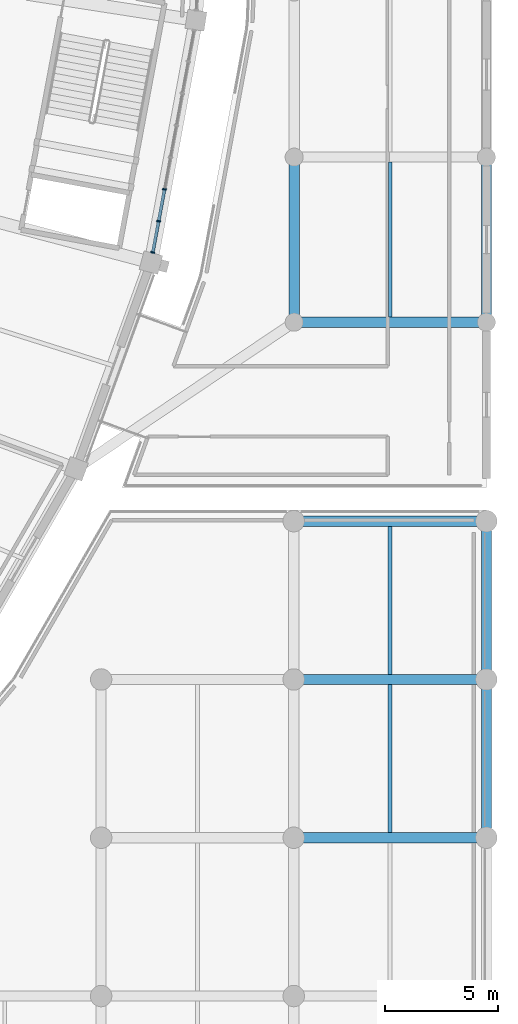
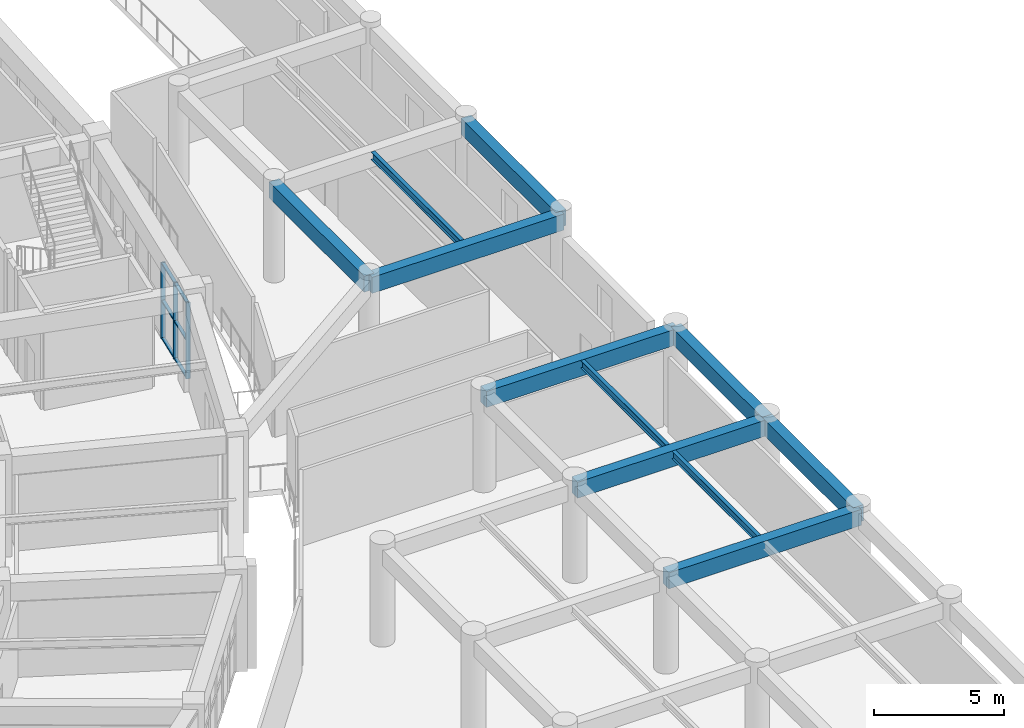
# One storey, part 46 of 152: 11 beams, 9 members, 1 element without a shape of its own.
"""IFC4 building model written with IfcOpenShell, lengths in metres."""

from ifc_helpers import new_model, si_unit, direction, frame, origin, origin_2d, place, context, subcontext, project, spatial, rectangle, i_section, extrude, material, layer, layer_set, material_profile, profile_set, type_object, element, aggregate, save


model = new_model("IFC4")

# Units and contexts
model_context = context("Model", 3, precision=1e-05, world=origin(), true_north=direction((0.0, 1.0)))
body_context = subcontext(model_context, "Body", "Model", "MODEL_VIEW")
ifc_project = project(units=[si_unit("LENGTHUNIT", "METRE"), si_unit("AREAUNIT", "SQUARE_METRE"), si_unit("VOLUMEUNIT", "CUBIC_METRE"), si_unit("PLANEANGLEUNIT", "RADIAN"), si_unit("MASSUNIT", "GRAM", prefix="KILO")], contexts=[model_context])

# Site, building, storey
site_placement = place(None, origin())
site = spatial("IfcSite", under=ifc_project, at=site_placement, CompositionType="ELEMENT")
building_placement = place(site_placement, origin())
building = spatial("IfcBuilding", under=site, at=building_placement, Name="Mphavela Belvedere Stadium", CompositionType="ELEMENT")
storey_placement = place(building_placement, frame((0.0, 0.0, 5.39990234375)))
storey = spatial("IfcBuildingStorey", under=building, at=storey_placement, Name="L01", CompositionType="ELEMENT", Elevation=5.39990234375)

# Beams
ifc_material_1 = material(Name="Steel S355", Category="steel")
ifc_material_profile_1 = material_profile(ifc_material_1, i_section(OverallWidth=0.169921875, OverallDepth=0.360107421875, WebThickness=0.008056640625, FlangeThickness=0.0126953125, at=origin_2d()), Name="IPE 360")
ifc_profile_set_1 = profile_set([ifc_material_profile_1], Name="Steel S355")
beam_type_1 = type_object("IfcBeamType", Name="BM-JOIST-IPE360", PredefinedType="JOIST", material=ifc_profile_set_1)
for number, where, z_axis, x_axis, name in (
    (1, (225.740478515625, 35.22509765625, 4.360107421875), (0.0, 1.0, 0.0), (-1.0, 0.0, 0.0), "South Axial Triumphal Peristyle Portico secondary joist L01 27-6"),
    (2, (225.740478515625, 42.22509765625, 4.360107421875), (0.0, 1.0, 0.0), (-1.0, 0.0, 0.0), "South Axial Triumphal Peristyle Portico secondary joist L01 27-7"),
):
    element("IfcBeam", number, at=place(storey_placement, frame(where, z_axis=z_axis, x_axis=x_axis)), inside=storey, type_object=beam_type_1, Name=name, PredefinedType="JOIST", context=body_context, shape_type="SweptSolid", body=[
        extrude(i_section(OverallWidth=0.169921875, OverallDepth=0.360107421875, WebThickness=0.008056640625, FlangeThickness=0.0126953125, at=origin_2d()), origin(), (0.0, 0.0, 1.0), 6.5498046875),
    ])
beam_1_placement = place(storey_placement, frame((225.75, 58.02490234375, 4.360107421875), z_axis=(0.0, 1.0, 0.0), x_axis=(-1.0, 0.0, 0.0)))
element("IfcBeam", 3, at=beam_1_placement, inside=storey, type_object=beam_type_1, Name="East Planted Eaves Peristyle Colonnade secondary joist L01 8-2", PredefinedType="JOIST", context=body_context, shape_type="SweptSolid", body=[
    extrude(i_section(OverallWidth=0.169921875, OverallDepth=0.360107421875, WebThickness=0.008056640625, FlangeThickness=0.0126953125, at=origin_2d()), origin(), (0.0, 0.0, 1.0), 6.85009765625),
])
ifc_material_2 = material(Name="Concrete C40/50", Category="concrete")
ifc_material_profile_2 = material_profile(ifc_material_2, rectangle(XDim=0.449951171875, YDim=0.75, at=origin_2d()), Name="RC 450x750")
ifc_profile_set_2 = profile_set([ifc_material_profile_2], Name="Concrete C40/50")
beam_type_2 = type_object("IfcBeamType", Name="BM-RC450x750", PredefinedType="BEAM", material=ifc_profile_set_2)
for number, where, z_axis, x_axis, name in (
    (4, (221.48095703125, 35.0, 4.1650390625), (1.0, 0.0, 0.0), (0.0, 1.0, 0.0), "South Axial Triumphal Peristyle Portico entablature beam X L01 27-6"),
    (5, (221.48095703125, 42.0, 4.1650390625), (1.0, 0.0, 0.0), (0.0, 1.0, 0.0), "South Axial Triumphal Peristyle Portico entablature beam X L01 27-7"),
    (6, (221.48095703125, 49.0, 4.1650390625), (1.0, 0.0, 0.0), (0.0, 1.0, 0.0), "South Axial Triumphal Peristyle Portico entablature beam X L01 27-8"),
):
    element("IfcBeam", number, at=place(storey_placement, frame(where, z_axis=z_axis, x_axis=x_axis)), inside=storey, type_object=beam_type_2, Name=name, PredefinedType="BEAM", context=body_context, shape_type="SweptSolid", body=[
        extrude(rectangle(XDim=0.449951171875, YDim=0.75, at=origin_2d()), origin(), (0.0, 0.0, 1.0), 8.51904296875),
    ])
for number, where, z_axis, x_axis, name in (
    (7, (230.0, 35.0, 4.1650390625), (0.0, 1.0, 0.0), (-1.0, 0.0, 0.0), "South Axial Triumphal Peristyle Portico entablature beam Y L01 28-6"),
    (8, (230.0, 42.0, 4.1650390625), (0.0, 1.0, 0.0), (-1.0, 0.0, 0.0), "South Axial Triumphal Peristyle Portico entablature beam Y L01 28-7"),
):
    element("IfcBeam", number, at=place(storey_placement, frame(where, z_axis=z_axis, x_axis=x_axis)), inside=storey, type_object=beam_type_2, Name=name, PredefinedType="BEAM", context=body_context, shape_type="SweptSolid", body=[
        extrude(rectangle(XDim=0.449951171875, YDim=0.75, at=origin_2d()), origin(), (0.0, 0.0, 1.0), 7.0),
    ])
beam_2_placement = place(storey_placement, frame((221.5, 57.800048828125, 4.1650390625), z_axis=(1.0, 0.0, 0.0), x_axis=(0.0, 1.0, 0.0)))
element("IfcBeam", 9, at=beam_2_placement, inside=storey, type_object=beam_type_2, Name="East Planted Eaves Peristyle Colonnade entablature beam X L01 8-2", PredefinedType="BEAM", context=body_context, shape_type="SweptSolid", body=[
    extrude(rectangle(XDim=0.449951171875, YDim=0.75, at=origin_2d()), origin(), (0.0, 0.0, 1.0), 8.5),
])
for number, where, z_axis, x_axis, name in (
    (10, (221.5, 57.800048828125, 4.1650390625), (0.0, 1.0, 0.0), (-1.0, 0.0, 0.0), "East Planted Eaves Peristyle Colonnade entablature beam Y L01 8-2"),
    (11, (230.0, 57.800048828125, 4.1650390625), (0.0, 1.0, 0.0), (-1.0, 0.0, 0.0), "East Planted Eaves Peristyle Colonnade entablature beam Y L01 9-2"),
):
    element("IfcBeam", number, at=place(storey_placement, frame(where, z_axis=z_axis, x_axis=x_axis)), inside=storey, type_object=beam_type_2, Name=name, PredefinedType="BEAM", context=body_context, shape_type="SweptSolid", body=[
        extrude(rectangle(XDim=0.449951171875, YDim=0.75, at=origin_2d()), origin(), (0.0, 0.0, 1.0), 7.300048828125),
    ])

# Curtain wall, members
ifc_material_3 = material(Name="Anodised bronze unitised curtain wall framing")
ifc_layer = layer(ifc_material_3, 0.199951171875)
ifc_layer_set = layer_set([ifc_layer], Name="Anodised bronze unitised curtain wall framing")
curtain_wall_type = type_object("IfcCurtainWallType", Name="CW-UNIT-05", PredefinedType="USERDEFINED", material=ifc_layer_set)
curtain_wall_placement = place(storey_placement, origin())
curtain_wall = element("IfcCurtainWall", 12, at=curtain_wall_placement, inside=storey, type_object=curtain_wall_type, Name="Belvedere colonnade curtain wall L01-47", ObjectType="UNITISED CURTAIN WALL", PredefinedType="USERDEFINED")
ifc_material_4 = material(Name="Anodised bronze extruded aluminium", Category="aluminium")
ifc_material_profile_3 = material_profile(ifc_material_4, rectangle(XDim=0.179931640625, YDim=0.06494140625, at=origin_2d()), Name="CW-MUL 180x65")
ifc_profile_set_3 = profile_set([ifc_material_profile_3], Name="Anodised bronze extruded aluminium")
member_type_1 = type_object("IfcMemberType", Name="CWM-180x65", PredefinedType="MULLION", material=ifc_profile_set_3)
member_1_placement = place(storey_placement, frame((215.247802734375, 60.88525390625, 0.0), z_axis=(0.0, 0.0, 1.0), x_axis=(-0.983183659932, 0.182619524814, 0.0)))
member_1 = element("IfcMember", 13, at=member_1_placement, type_object=member_type_1, Name="CW-05 mullion 1", PredefinedType="MULLION", context=body_context, shape_type="SweptSolid", body=[
    extrude(rectangle(XDim=0.179931640625, YDim=0.06494140625, at=origin_2d()), origin(), (0.0, 0.0, 1.0), 3.570068359375),
])
member_2_placement = place(storey_placement, frame((215.504150390625, 62.265625, 0.0), z_axis=(0.0, 0.0, 1.0), x_axis=(-0.983183659932, 0.182619524814, 0.0)))
member_2 = element("IfcMember", 14, at=member_2_placement, type_object=member_type_1, Name="CW-05 mullion 2", PredefinedType="MULLION", context=body_context, shape_type="SweptSolid", body=[
    extrude(rectangle(XDim=0.179931640625, YDim=0.06494140625, at=origin_2d()), origin(), (0.0, 0.0, 1.0), 3.570068359375),
])
member_3_placement = place(storey_placement, frame((215.7666015625, 63.677978515625, 0.0), z_axis=(0.0, 0.0, 1.0), x_axis=(-0.983183659932, 0.182619524814, 0.0)))
member_3 = element("IfcMember", 15, at=member_3_placement, type_object=member_type_1, Name="CW-05 mullion 3", PredefinedType="MULLION", context=body_context, shape_type="SweptSolid", body=[
    extrude(rectangle(XDim=0.179931640625, YDim=0.06494140625, at=origin_2d()), origin(), (0.0, 0.0, 1.0), 3.570068359375),
])
ifc_material_5 = material(Name="Anodised bronze extruded aluminium", Category="aluminium")
ifc_material_profile_4 = material_profile(ifc_material_5, rectangle(XDim=0.139892578125, YDim=0.06005859375, at=origin_2d()), Name="CW-TRN 140x60")
ifc_profile_set_4 = profile_set([ifc_material_profile_4], Name="Anodised bronze extruded aluminium")
member_type_2 = type_object("IfcMemberType", Name="CWT-140x60", PredefinedType="USERDEFINED", material=ifc_profile_set_4)
member_4_placement = place(storey_placement, frame((215.253662109375, 60.917236328125, 0.030029296875), z_axis=(0.182702984159, 0.983168154275, 0.0), x_axis=(-0.983168154275, 0.182702984159, 0.0)))
member_4 = element("IfcMember", 16, at=member_4_placement, type_object=member_type_2, Name="CW-05 transom 1.1", ObjectType="TRANSOM", PredefinedType="USERDEFINED", context=body_context, shape_type="SweptSolid", body=[
    extrude(rectangle(XDim=0.139892578125, YDim=0.06005859375, at=origin_2d()), origin(), (0.0, 0.0, 1.0), 1.3388671875),
])
member_5_placement = place(storey_placement, frame((215.253662109375, 60.917236328125, 1.78515625), z_axis=(0.182702984159, 0.983168154275, 0.0), x_axis=(-0.983168154275, 0.182702984159, 0.0)))
member_5 = element("IfcMember", 17, at=member_5_placement, type_object=member_type_2, Name="CW-05 transom 1.2", ObjectType="TRANSOM", PredefinedType="USERDEFINED", context=body_context, shape_type="SweptSolid", body=[
    extrude(rectangle(XDim=0.139892578125, YDim=0.06005859375, at=origin_2d()), origin(), (0.0, 0.0, 1.0), 1.3388671875),
])
member_6_placement = place(storey_placement, frame((215.253662109375, 60.917236328125, 3.5400390625), z_axis=(0.182702984159, 0.983168154275, 0.0), x_axis=(-0.983168154275, 0.182702984159, 0.0)))
member_6 = element("IfcMember", 18, at=member_6_placement, type_object=member_type_2, Name="CW-05 transom 1.3", ObjectType="TRANSOM", PredefinedType="USERDEFINED", context=body_context, shape_type="SweptSolid", body=[
    extrude(rectangle(XDim=0.139892578125, YDim=0.06005859375, at=origin_2d()), origin(), (0.0, 0.0, 1.0), 1.3388671875),
])
member_7_placement = place(storey_placement, frame((215.51025390625, 62.297607421875, 0.030029296875), z_axis=(0.182471732278, 0.983211099876, 0.0), x_axis=(-0.983211099876, 0.182471732278, 0.0)))
member_7 = element("IfcMember", 19, at=member_7_placement, type_object=member_type_2, Name="CW-05 transom 2.1", ObjectType="TRANSOM", PredefinedType="USERDEFINED", context=body_context, shape_type="SweptSolid", body=[
    extrude(rectangle(XDim=0.139892578125, YDim=0.06005859375, at=origin_2d()), origin(), (0.0, 0.0, 1.0), 1.371337890625),
])
member_8_placement = place(storey_placement, frame((215.51025390625, 62.297607421875, 1.78515625), z_axis=(0.182471732278, 0.983211099876, 0.0), x_axis=(-0.983211099876, 0.182471732278, 0.0)))
member_8 = element("IfcMember", 20, at=member_8_placement, type_object=member_type_2, Name="CW-05 transom 2.2", ObjectType="TRANSOM", PredefinedType="USERDEFINED", context=body_context, shape_type="SweptSolid", body=[
    extrude(rectangle(XDim=0.139892578125, YDim=0.06005859375, at=origin_2d()), origin(), (0.0, 0.0, 1.0), 1.371337890625),
])
member_9_placement = place(storey_placement, frame((215.51025390625, 62.297607421875, 3.5400390625), z_axis=(0.182471732278, 0.983211099876, 0.0), x_axis=(-0.983211099876, 0.182471732278, 0.0)))
member_9 = element("IfcMember", 21, at=member_9_placement, type_object=member_type_2, Name="CW-05 transom 2.3", ObjectType="TRANSOM", PredefinedType="USERDEFINED", context=body_context, shape_type="SweptSolid", body=[
    extrude(rectangle(XDim=0.139892578125, YDim=0.06005859375, at=origin_2d()), origin(), (0.0, 0.0, 1.0), 1.371337890625),
])
aggregate(curtain_wall, [member_1, member_2, member_3, member_4, member_5, member_6, member_7, member_8, member_9])

save(model, "model.ifc")
